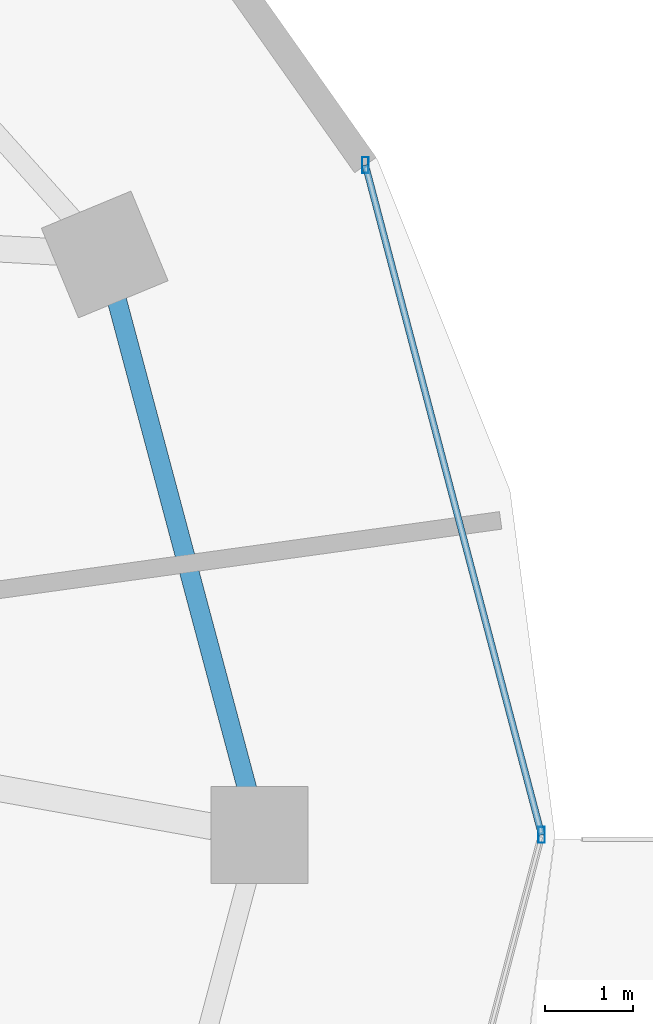
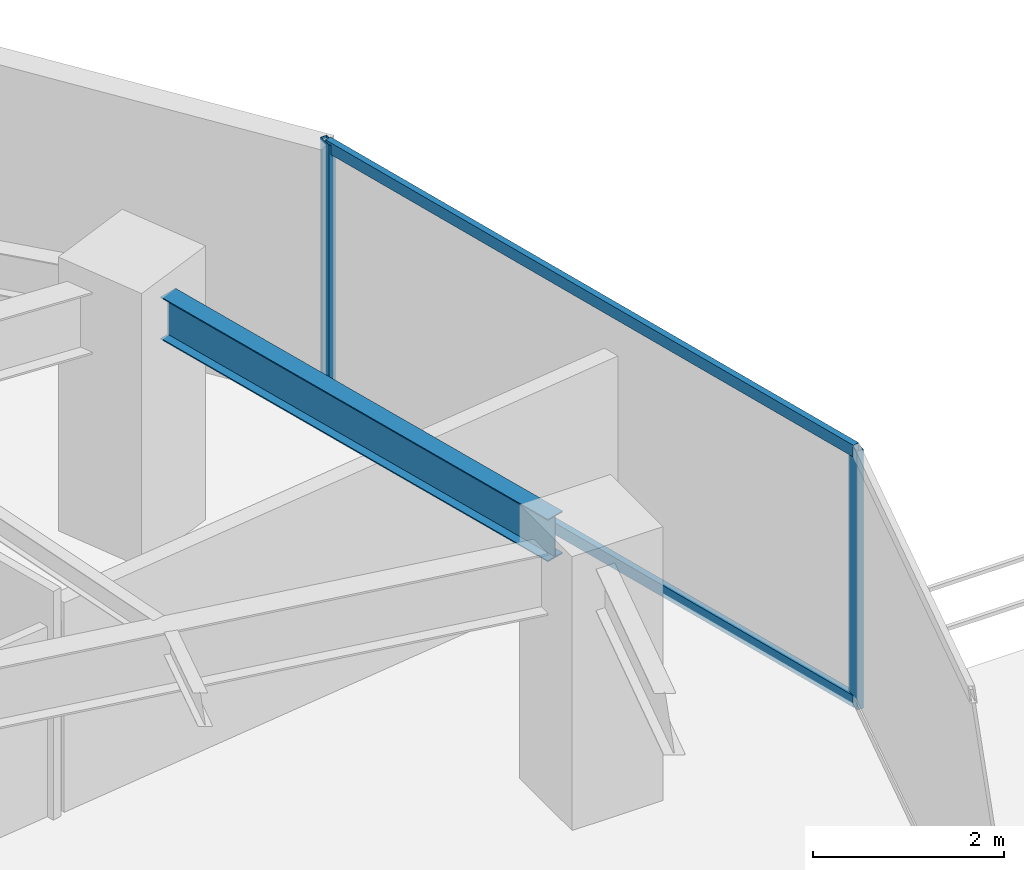
# One storey, part 15 of 30: 4 members, 1 beam, 1 element without a shape of its own.
"""IFC4 building model written with IfcOpenShell, lengths in metres."""

from ifc_helpers import new_model, si_unit, direction, frame, origin, origin_2d, place, context, subcontext, project, spatial, hollow_rectangle, i_section, extrude, material, material_profile, profile_set, type_object, element, aggregate, save


model = new_model("IFC4")

# Units and contexts
model_context = context("Model", 3, precision=1e-05, world=origin(), true_north=direction((0.0, 1.0)))
body_context = subcontext(model_context, "Body", "Model", "MODEL_VIEW")
ifc_project = project(units=[si_unit("LENGTHUNIT", "METRE"), si_unit("AREAUNIT", "SQUARE_METRE"), si_unit("VOLUMEUNIT", "CUBIC_METRE"), si_unit("PLANEANGLEUNIT", "RADIAN"), si_unit("MASSUNIT", "GRAM", prefix="KILO")], contexts=[model_context])

# Site, building, storey
site_placement = place(None, origin())
site = spatial("IfcSite", under=ifc_project, at=site_placement, CompositionType="ELEMENT")
building_placement = place(site_placement, origin())
building = spatial("IfcBuilding", under=site, at=building_placement, Name="Vorneva Point Tower", CompositionType="ELEMENT")
storey_placement = place(building_placement, frame((0.0, 0.0, 92.800048828125)))
storey = spatial("IfcBuildingStorey", under=building, at=storey_placement, Name="L24", CompositionType="ELEMENT", Elevation=92.800048828125)

# Beam
ifc_material_1 = material(Name="Steel S355", Category="steel")
ifc_material_profile_1 = material_profile(ifc_material_1, i_section(OverallWidth=0.219970703125, OverallDepth=0.54296875, WebThickness=0.009521484375, FlangeThickness=0.013427734375, at=origin_2d()), Name="55B1")
ifc_profile_set_1 = profile_set([ifc_material_profile_1], Name="Steel S355")
beam_type = type_object("IfcBeamType", Name="BM-SPN-55B1", PredefinedType="SPANDREL", material=ifc_profile_set_1)
beam_placement = place(storey_placement, frame((60.912109375, 26.516845703125, 2.968505859375), z_axis=(-0.257572674071, 0.966258928845, 0.0), x_axis=(-0.966258928845, -0.257572674071, 0.0)))
element("IfcBeam", 1, at=beam_placement, inside=storey, type_object=beam_type, Name="L24 Perimeter Spandrel Ring Beam 01", PredefinedType="SPANDREL", context=body_context, shape_type="SweptSolid", body=[
    extrude(i_section(OverallWidth=0.219970703125, OverallDepth=0.54296875, WebThickness=0.009521484375, FlangeThickness=0.013427734375, at=origin_2d()), origin(), (0.0, 0.0, 1.0), 5.7421875),
])

# Curtain wall, members
ifc_material_2 = material(Name="Pale anodised aluminium", Category="aluminium")
curtain_wall_type = type_object("IfcCurtainWallType", Name="CW-HTL-SYS", PredefinedType="NOTDEFINED", material=ifc_material_2)
curtain_wall_placement = place(storey_placement, origin())
curtain_wall = element("IfcCurtainWall", 2, at=curtain_wall_placement, inside=storey, type_object=curtain_wall_type, Name="L24 Unitised Curtain Wall CW-L24-R01", PredefinedType="NOTDEFINED")
ifc_material_profile_2 = material_profile(ifc_material_2, hollow_rectangle(XDim=0.074951171875, YDim=0.179931640625, WallThickness=0.00390625, at=origin_2d()), Name="AL-MUL 180x75x4")
ifc_profile_set_2 = profile_set([ifc_material_profile_2], Name="Pale anodised aluminium")
member_type_1 = type_object("IfcMemberType", Name="CW-MUL-180", PredefinedType="MULLION", material=ifc_profile_set_2)
member_1_placement = place(storey_placement, frame((64.25, 26.0, -0.0400390625), z_axis=(0.0, 0.0, 1.0), x_axis=(1.0, 0.0, 0.0)))
member_1 = element("IfcMember", 3, at=member_1_placement, type_object=member_type_1, Name="CW-L24-R01 Mullion 03", PredefinedType="MULLION", context=body_context, shape_type="SweptSolid", body=[
    extrude(hollow_rectangle(XDim=0.074951171875, YDim=0.179931640625, WallThickness=0.00390625, at=origin_2d()), origin(), (0.0, 0.0, 1.0), 3.31005859375),
])
member_2_placement = place(storey_placement, frame((62.251708984375, 33.59619140625, -0.0400390625), z_axis=(0.0, 0.0, 1.0), x_axis=(1.0, 0.0, 0.0)))
member_2 = element("IfcMember", 4, at=member_2_placement, type_object=member_type_1, Name="CW-L24-R01 Mullion 04", PredefinedType="MULLION", context=body_context, shape_type="SweptSolid", body=[
    extrude(hollow_rectangle(XDim=0.074951171875, YDim=0.179931640625, WallThickness=0.00390625, at=origin_2d()), origin(), (0.0, 0.0, 1.0), 3.31005859375),
])
ifc_material_profile_3 = material_profile(ifc_material_2, hollow_rectangle(XDim=0.074951171875, YDim=0.14990234375, WallThickness=0.00390625, at=origin_2d()), Name="AL-TRN 150x75x4")
ifc_profile_set_3 = profile_set([ifc_material_profile_3], Name="Pale anodised aluminium")
member_type_2 = type_object("IfcMemberType", Name="CW-TRN-150", PredefinedType="USERDEFINED", material=ifc_profile_set_3)
member_3_placement = place(storey_placement, frame((64.25, 26.0, 0.02001953125), z_axis=(-0.254409150465, 0.967096677773, 0.0), x_axis=(-0.967096677773, -0.254409150465, 0.0)))
member_3 = element("IfcMember", 5, at=member_3_placement, type_object=member_type_2, Name="CW-L24-R01 Transom 03.1", ObjectType="TRANSOM", PredefinedType="USERDEFINED", context=body_context, shape_type="SweptSolid", body=[
    extrude(hollow_rectangle(XDim=0.074951171875, YDim=0.14990234375, WallThickness=0.00390625, at=origin_2d()), origin(), (0.0, 0.0, 1.0), 7.854736328125),
])
member_4_placement = place(storey_placement, frame((64.25, 26.0, 3.219970703125), z_axis=(-0.254409150465, 0.967096677773, 0.0), x_axis=(-0.967096677773, -0.254409150465, 0.0)))
member_4 = element("IfcMember", 6, at=member_4_placement, type_object=member_type_2, Name="CW-L24-R01 Transom 03.2", ObjectType="TRANSOM", PredefinedType="USERDEFINED", context=body_context, shape_type="SweptSolid", body=[
    extrude(hollow_rectangle(XDim=0.074951171875, YDim=0.14990234375, WallThickness=0.00390625, at=origin_2d()), origin(), (0.0, 0.0, 1.0), 7.854736328125),
])
aggregate(curtain_wall, [member_1, member_2, member_3, member_4])

save(model, "model.ifc")
